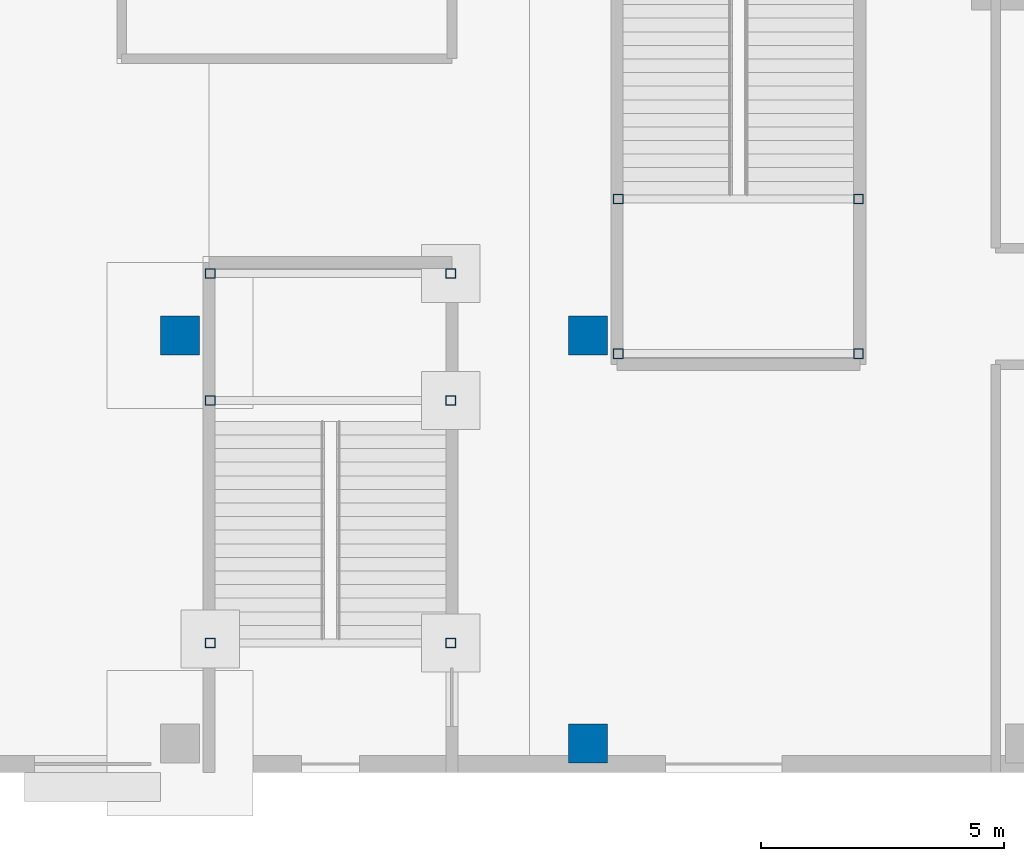
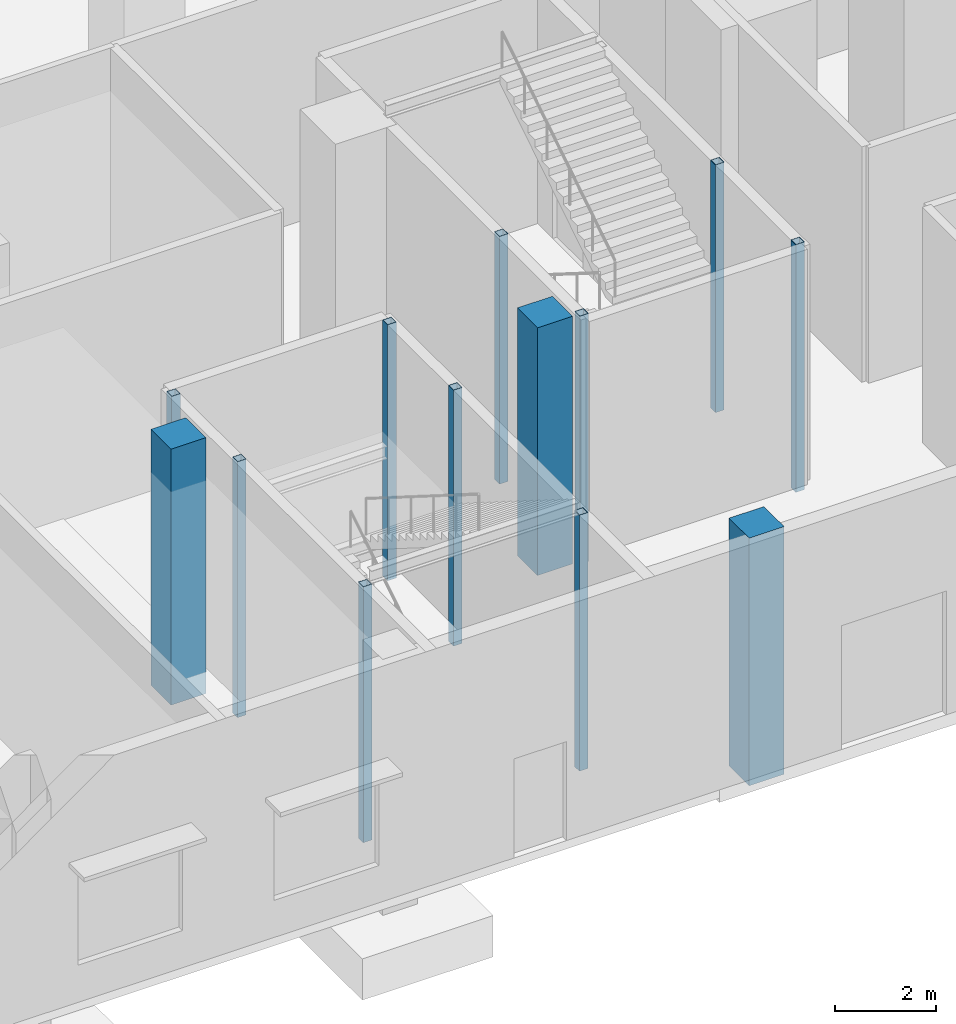
# One storey, part 2 of 26: 13 columns.
"""IFC4 building model written with IfcOpenShell, lengths in metres."""

import ifcopenshell
import ifcopenshell.guid

model = None  # the IFC model being written
_history = None  # IfcOwnerHistory: only IFC2X3 demands one
_inside = {}  # id of a spatial element -> (the spatial element, [elements in it])
_under = {}  # id of a project, library or spatial element -> (it, [spatial elements below it])
_declared = {}  # id of a project -> (the project, [libraries it declares])
_typed = {}  # id of a type object -> (the type object, [elements of that type])
_made_of = {}  # id of a material, layer set ... -> (it, [elements and type objects made of it])


def new_model(schema):
    """Start an empty IFC model of exactly this schema.

    Asked for "IFC4X3", IfcOpenShell would pick the latest addendum, in which some entities
    have other attributes; the version numbers below select the first issue.
    IFC2X3 requires an IfcOwnerHistory on every rooted entity: one is made here for all.
    """
    global model, _history
    if schema == "IFC4X3":
        model = ifcopenshell.file(schema_version=(4, 3, 0, 0))
    else:
        model = ifcopenshell.file(schema=schema)
    _inside.clear()
    _under.clear()
    _declared.clear()
    _typed.clear()
    _made_of.clear()
    _history = None
    if model.schema == "IFC2X3":
        org = make("IfcOrganization", Name="unknown")
        user = make(
            "IfcPersonAndOrganization",
            ThePerson=make("IfcPerson", FamilyName="unknown"),
            TheOrganization=org,
        )
        app = make(
            "IfcApplication",
            ApplicationDeveloper=org,
            Version="unknown",
            ApplicationFullName="unknown",
            ApplicationIdentifier="unknown",
        )
        _history = make(
            "IfcOwnerHistory",
            OwningUser=user,
            OwningApplication=app,
            ChangeAction="ADDED",
            CreationDate=0,
        )
    return model


def make(cls, **values):
    """One entity of the class cls with the attributes given. An attribute that is None is left unset."""
    return model.create_entity(
        cls, **{name: value for name, value in values.items() if value is not None}
    )


def rooted(cls, **values):
    """An entity with a GlobalId (a new one), such as an element, a storey or a relation."""
    return make(cls, GlobalId=ifcopenshell.guid.new(), OwnerHistory=_history, **values)


def si_unit(unit_type, name, prefix=None):
    """IfcSIUnit, for example si_unit("LENGTHUNIT", "METRE", prefix="MILLI")."""
    return make("IfcSIUnit", UnitType=unit_type, Prefix=prefix, Name=name)


def assignment(units):
    """IfcUnitAssignment: the units of a project."""
    return None if units is None else make("IfcUnitAssignment", Units=units)


def point(xyz):
    """IfcCartesianPoint."""
    return None if xyz is None else make("IfcCartesianPoint", Coordinates=xyz)


def direction(xyz):
    """IfcDirection."""
    return None if xyz is None else make("IfcDirection", DirectionRatios=xyz)


def frame(location, z_axis=None, x_axis=None):
    """IfcAxis2Placement3D, a coordinate frame: its origin and axes. An axis left out is left unset."""
    return make(
        "IfcAxis2Placement3D",
        Location=point(location),
        Axis=direction(z_axis),
        RefDirection=direction(x_axis),
    )


def frame_2d(location, x_axis=None):
    """IfcAxis2Placement2D, a coordinate frame in the plane: its origin and x axis."""
    return make(
        "IfcAxis2Placement2D", Location=point(location), RefDirection=direction(x_axis)
    )


def origin():
    """The frame at (0, 0, 0) with its axes left unset."""
    return frame((0.0, 0.0, 0.0))


def origin_2d():
    """The frame at (0, 0) in the plane with its x axis left unset."""
    return frame_2d((0.0, 0.0))


def place(relative_to, where):
    """IfcLocalPlacement: puts the frame where relative to a parent placement (None: the world)."""
    return make(
        "IfcLocalPlacement", PlacementRelTo=relative_to, RelativePlacement=where
    )


def context(
    kind, dimensions, precision=None, world=None, true_north=None, identifier=None
):
    """IfcGeometricRepresentationContext, for example the 3D "Model" context."""
    return make(
        "IfcGeometricRepresentationContext",
        ContextIdentifier=identifier,
        ContextType=kind,
        CoordinateSpaceDimension=dimensions,
        Precision=precision,
        WorldCoordinateSystem=world,
        TrueNorth=true_north,
    )


def subcontext(parent, identifier, kind, view, scale=None):
    """IfcGeometricRepresentationSubContext, for example "Body" below "Model"."""
    return make(
        "IfcGeometricRepresentationSubContext",
        ContextIdentifier=identifier,
        ContextType=kind,
        ParentContext=parent,
        TargetScale=scale,
        TargetView=view,
    )


def project(units=None, contexts=None):
    """IfcProject with its units and contexts."""
    return rooted(
        "IfcProject",
        Name="project",
        RepresentationContexts=contexts,
        UnitsInContext=assignment(units),
    )


def spatial(cls, under=None, at=None, **own):
    """A site, building, storey or space (cls), placed at a placement, below another one or the project."""
    s = rooted(cls, ObjectPlacement=at, **own)
    if under is not None:
        _under.setdefault(under.id(), (under, []))[1].append(s)
    return s


def profile(cls, at=None, kind="AREA", **sizes):
    """A parametric profile (cls). Its sizes go by their IFC names, for example OverallWidth=200.0."""
    return make(cls, ProfileType=kind, Position=at, **sizes)


def rectangle(**sizes):
    """IfcRectangleProfileDef."""
    return profile("IfcRectangleProfileDef", **sizes)


def hollow_rectangle(**sizes):
    """IfcRectangleHollowProfileDef."""
    return profile("IfcRectangleHollowProfileDef", **sizes)


def extrude(swept, where, along, depth):
    """IfcExtrudedAreaSolid: the profile swept, set in the frame where, extruded along a direction by depth."""
    return make(
        "IfcExtrudedAreaSolid",
        SweptArea=swept,
        Position=where,
        ExtrudedDirection=direction(along),
        Depth=depth,
    )


def shape(context_of_items, identifier, shape_type, items):
    """IfcShapeRepresentation: the items that make up one representation, for example the "Body"."""
    return make(
        "IfcShapeRepresentation",
        ContextOfItems=context_of_items,
        RepresentationIdentifier=identifier,
        RepresentationType=shape_type,
        Items=items,
    )


def material(Name=None, Category=None):
    """IfcMaterial."""
    return make("IfcMaterial", Name=Name, Category=Category)


def material_profile(
    of_material, cross_section, Name=None, Category=None, Priority=None
):
    """IfcMaterialProfile: a cross section and its material."""
    return make(
        "IfcMaterialProfile",
        Name=Name,
        Material=of_material,
        Profile=cross_section,
        Priority=Priority,
        Category=Category,
    )


def profile_set(profiles, Name=None, composite=None):
    """IfcMaterialProfileSet."""
    return make(
        "IfcMaterialProfileSet",
        Name=Name,
        MaterialProfiles=profiles,
        CompositeProfile=composite,
    )


def made_of(thing, what):
    """Note that an element or type object is made of a material, layer set ...; save() writes the relation."""
    if what is not None:
        _made_of.setdefault(what.id(), (what, []))[1].append(thing)
    return thing


def type_object(cls, material=None, **own):
    """A type object (cls), such as IfcWallType, which elements share."""
    return made_of(rooted(cls, **own), material)


def element(
    cls,
    number,
    at=None,
    inside=None,
    cuts=None,
    type_object=None,
    material=None,
    context=None,
    identifier="Body",
    shape_type=None,
    held_by="IfcProductDefinitionShape",
    body=None,
    shapes=None,
    **own,
):
    """One element of the class cls, such as IfcWall. Its Tag is "e" and its number.

    at: its placement. inside: the storey or other place that contains it. cuts: it is an
    opening in that element (IfcRelVoidsElement). A single representation is given by context,
    identifier, shape_type and body (its items); several are given by shapes. held_by: the class
    of the entity that holds the representations. save() writes the other relations.
    """
    e = rooted(cls, Tag="e%d" % number, ObjectPlacement=at, **own)
    if body is not None:
        shapes = [shape(context, identifier, shape_type, body)]
    if shapes is not None:
        e.Representation = make(held_by, Representations=shapes)
    if inside is not None:
        _inside.setdefault(inside.id(), (inside, []))[1].append(e)
    if cuts is not None:
        rooted(
            "IfcRelVoidsElement", RelatingBuildingElement=cuts, RelatedOpeningElement=e
        )
    if type_object is not None:
        _typed.setdefault(type_object.id(), (type_object, []))[1].append(e)
    return made_of(e, material)


def aggregate(whole, parts):
    """IfcRelAggregates: a whole, such as a stair, and the parts it consists of."""
    return rooted("IfcRelAggregates", RelatingObject=whole, RelatedObjects=parts)


def save(model, path):
    """Write the relations noted so far, then the file.

    IfcRelAggregates (storeys below a building ...), IfcRelContainedInSpatialStructure (elements
    in a storey), IfcRelDefinesByType, IfcRelAssociatesMaterial and IfcRelDeclares: one each for
    every whole, place, type object, material and project.
    """
    for whole, parts in _under.values():
        aggregate(whole, parts)
    for where, things in _inside.values():
        rooted(
            "IfcRelContainedInSpatialStructure",
            RelatedElements=things,
            RelatingStructure=where,
        )
    for kind, things in _typed.values():
        rooted("IfcRelDefinesByType", RelatedObjects=things, RelatingType=kind)
    for what, things in _made_of.values():
        rooted("IfcRelAssociatesMaterial", RelatedObjects=things, RelatingMaterial=what)
    for by, libraries in _declared.values():
        rooted("IfcRelDeclares", RelatingContext=by, RelatedDefinitions=libraries)
    model.write(path)


model = new_model("IFC4")

# Units and contexts
model_context = context("Model", 3, precision=1e-05, world=origin(), true_north=direction((0.0, 1.0)))
body_context = subcontext(model_context, "Body", "Model", "MODEL_VIEW")
ifc_project = project(units=[si_unit("LENGTHUNIT", "METRE"), si_unit("AREAUNIT", "SQUARE_METRE"), si_unit("VOLUMEUNIT", "CUBIC_METRE"), si_unit("PLANEANGLEUNIT", "RADIAN"), si_unit("MASSUNIT", "GRAM", prefix="KILO")], contexts=[model_context])

# Site, building, storey
site_placement = place(None, origin())
site = spatial("IfcSite", under=ifc_project, at=site_placement, CompositionType="ELEMENT")
building_placement = place(site_placement, origin())
building = spatial("IfcBuilding", under=site, at=building_placement, Name="Dunama Terrace Hotel", CompositionType="ELEMENT")
storey_placement = place(building_placement, origin())
storey = spatial("IfcBuildingStorey", under=building, at=storey_placement, Name="L00", CompositionType="ELEMENT", Elevation=0.0)

# Columns
ifc_material_1 = material(Name="Concrete C40/50", Category="concrete")
ifc_material_profile_1 = material_profile(ifc_material_1, rectangle(XDim=0.800048828125, YDim=0.800048828125, at=origin_2d()), Name="RC 800x800")
ifc_profile_set_1 = profile_set([ifc_material_profile_1], Name="Concrete C40/50")
column_type_1 = type_object("IfcColumnType", Name="Column RC 800x800", PredefinedType="COLUMN", material=ifc_profile_set_1)
column_placement = place(storey_placement, frame((-16.800048828125, 0.60009765625, -0.5), z_axis=(0.0, 0.0, 1.0), x_axis=(1.0, 0.0, 0.0)))
element("IfcColumn", 1, at=column_placement, inside=storey, type_object=column_type_1, Name="Column L00 -16.8/+0.6", PredefinedType="COLUMN", context=body_context, shape_type="SweptSolid", body=[
    extrude(rectangle(XDim=0.800048828125, YDim=0.800048828125, at=origin_2d()), origin(), (0.0, 0.0, 1.0), 6.199951171875),
])
for number, where, z_axis, x_axis, name in (
    (2, (-8.39990234375, -7.800048828125, -0.300048828125), (0.0, 0.0, 1.0), (1.0, 0.0, 0.0), "Column L00 -8.4/-7.8"),
    (3, (-8.39990234375, 0.60009765625, -0.300048828125), (0.0, 0.0, 1.0), (1.0, 0.0, 0.0), "Column L00 -8.4/+0.6"),
):
    element("IfcColumn", number, at=place(storey_placement, frame(where, z_axis=z_axis, x_axis=x_axis)), inside=storey, type_object=column_type_1, Name=name, PredefinedType="COLUMN", context=body_context, shape_type="SweptSolid", body=[
        extrude(rectangle(XDim=0.800048828125, YDim=0.800048828125, at=origin_2d()), origin(), (0.0, 0.0, 1.0), 6.0),
    ])
ifc_material_2 = material(Name="Steel S355", Category="steel")
ifc_material_profile_2 = material_profile(ifc_material_2, hollow_rectangle(XDim=0.199951171875, YDim=0.199951171875, WallThickness=0.010009765625, at=origin_2d()), Name="SHS 200x200x10")
ifc_profile_set_2 = profile_set([ifc_material_profile_2], Name="Steel S355")
column_type_2 = type_object("IfcColumnType", Name="Stair post SHS 200x200x10", PredefinedType="COLUMN", material=ifc_profile_set_2)
for number, where, z_axis, x_axis, name in (
    (4, (-16.175048828125, -5.732421875, -0.5), (0.0, 0.0, 1.0), (1.0, 0.0, 0.0), "Stair post P2 L00 -16.18/-5.73"),
    (5, (-11.22509765625, -5.732421875, -0.5), (0.0, 0.0, 1.0), (1.0, 0.0, 0.0), "Stair post P2 L00 -11.22/-5.73"),
    (6, (-16.175048828125, -0.737548828125, -0.5), (0.0, 0.0, 1.0), (1.0, 0.0, 0.0), "Stair post P2 L00 -16.18/-0.74"),
    (7, (-11.22509765625, -0.737548828125, -0.5), (0.0, 0.0, 1.0), (1.0, 0.0, 0.0), "Stair post P2 L00 -11.22/-0.74"),
    (8, (-16.175048828125, 1.875, -0.5), (0.0, 0.0, 1.0), (1.0, 0.0, 0.0), "Stair post P2 L00 -16.18/+1.88"),
    (9, (-11.22509765625, 1.875, -0.5), (0.0, 0.0, 1.0), (1.0, 0.0, 0.0), "Stair post P2 L00 -11.22/+1.88"),
):
    element("IfcColumn", number, at=place(storey_placement, frame(where, z_axis=z_axis, x_axis=x_axis)), inside=storey, type_object=column_type_2, Name=name, PredefinedType="COLUMN", context=body_context, shape_type="SweptSolid", body=[
        extrude(hollow_rectangle(XDim=0.199951171875, YDim=0.199951171875, WallThickness=0.010009765625, at=origin_2d()), origin(), (0.0, 0.0, 1.0), 6.199951171875),
    ])
for number, where, z_axis, x_axis, name in (
    (10, (-7.77490234375, 3.41259765625, -0.300048828125), (0.0, 0.0, 1.0), (1.0, 0.0, 0.0), "Stair post P4 L00 -7.78/+3.41"),
    (11, (-2.824951171875, 3.41259765625, -0.300048828125), (0.0, 0.0, 1.0), (1.0, 0.0, 0.0), "Stair post P4 L00 -2.83/+3.41"),
    (12, (-7.77490234375, 0.22509765625, -0.300048828125), (0.0, 0.0, 1.0), (1.0, 0.0, 0.0), "Stair post P4 L00 -7.78/+0.23"),
    (13, (-2.824951171875, 0.22509765625, -0.300048828125), (0.0, 0.0, 1.0), (1.0, 0.0, 0.0), "Stair post P4 L00 -2.83/+0.23"),
):
    element("IfcColumn", number, at=place(storey_placement, frame(where, z_axis=z_axis, x_axis=x_axis)), inside=storey, type_object=column_type_2, Name=name, PredefinedType="COLUMN", context=body_context, shape_type="SweptSolid", body=[
        extrude(hollow_rectangle(XDim=0.199951171875, YDim=0.199951171875, WallThickness=0.010009765625, at=origin_2d()), origin(), (0.0, 0.0, 1.0), 6.0),
    ])

save(model, "model.ifc")
